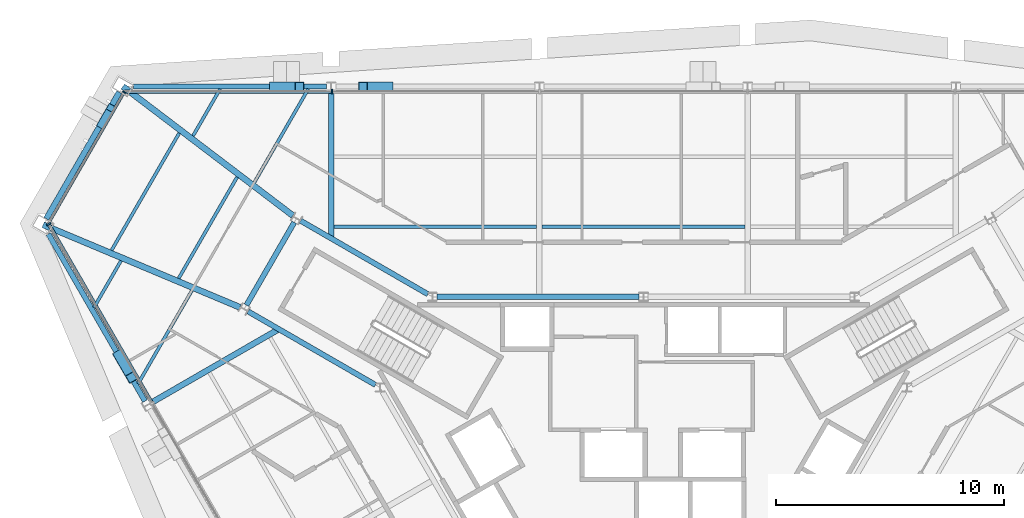
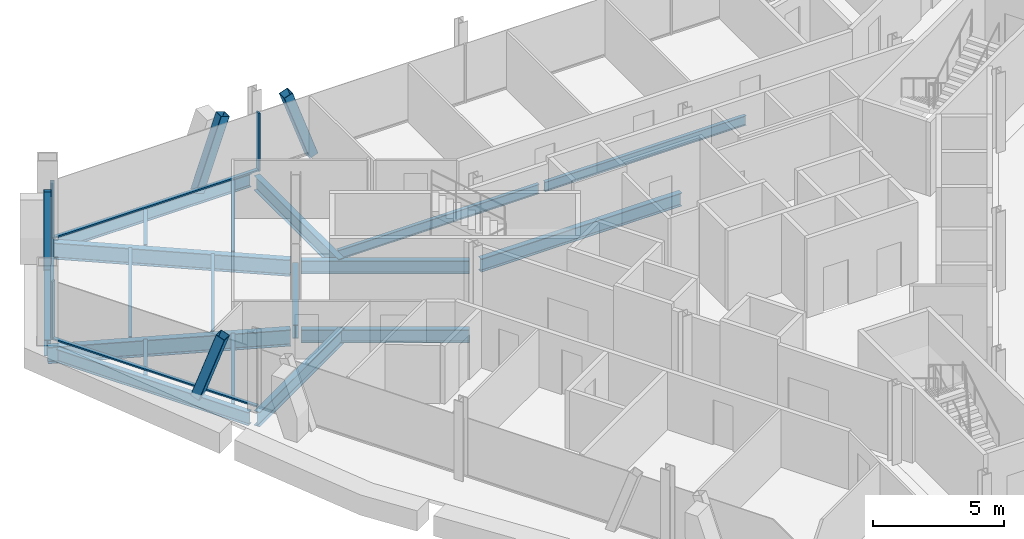
# One storey, part 6 of 15: 19 beams, 10 members, 3 elements without a shape of their own.
"""IFC4 building model written with IfcOpenShell, lengths in metres."""

from ifc_helpers import new_model, si_unit, direction, frame, origin, origin_2d, place, context, subcontext, project, spatial, rectangle, hollow_rectangle, i_section, extrude, material, material_profile, profile_set, type_object, element, aggregate, save


model = new_model("IFC4")

# Units and contexts
model_context = context("Model", 3, precision=1e-05, world=origin(), true_north=direction((0.0, 1.0)))
body_context = subcontext(model_context, "Body", "Model", "MODEL_VIEW")
ifc_project = project(units=[si_unit("LENGTHUNIT", "METRE"), si_unit("AREAUNIT", "SQUARE_METRE"), si_unit("VOLUMEUNIT", "CUBIC_METRE"), si_unit("PLANEANGLEUNIT", "RADIAN"), si_unit("MASSUNIT", "GRAM", prefix="KILO")], contexts=[model_context])

# Site, building, storey
site_placement = place(None, origin())
site = spatial("IfcSite", under=ifc_project, at=site_placement, CompositionType="ELEMENT")
building_placement = place(site_placement, origin())
building = spatial("IfcBuilding", under=site, at=building_placement, Name="Verrane Prism Tower", CompositionType="ELEMENT")
storey_placement = place(building_placement, frame((0.0, 0.0, 250.800048828125)))
storey = spatial("IfcBuildingStorey", under=building, at=storey_placement, Name="L63", CompositionType="ELEMENT", Elevation=250.800048828125)

# Member
ifc_material_1 = material(Name="Steel A500 Grade C", Category="steel")
ifc_material_profile_1 = material_profile(ifc_material_1, hollow_rectangle(XDim=0.3046875, YDim=0.3046875, WallThickness=0.0126953125, InnerFilletRadius=0.00634765625, OuterFilletRadius=0.01904296875, at=origin_2d()), Name="HSS12x12x1/2")
ifc_profile_set_1 = profile_set([ifc_material_profile_1], Name="Steel A500 Grade C")
member_type_1 = type_object("IfcMemberType", Name="Chamfer brace HSS12x12x1/2", PredefinedType="BRACE", material=ifc_profile_set_1)
member_1_placement = place(storey_placement, frame((-23.800048828125, 15.565185546875, -0.24267578125), z_axis=(0.130491739754, 0.226180627359, 0.965305252065), x_axis=(-0.86618075184, 0.499730832691, 0.0)))
element("IfcMember", 1, at=member_1_placement, inside=storey, type_object=member_type_1, Name="Chamfer brace NW0 L63", PredefinedType="BRACE", context=body_context, shape_type="SweptSolid", body=[
    extrude(hollow_rectangle(XDim=0.3046875, YDim=0.3046875, WallThickness=0.0126953125, InnerFilletRadius=0.00634765625, OuterFilletRadius=0.01904296875, at=origin_2d()), origin(), (0.0, 0.0, 1.0), 3.219970703125),
])

# Beams
ifc_material_2 = material(Name="Steel A992", Category="steel")
ifc_material_profile_2 = material_profile(ifc_material_2, i_section(OverallWidth=0.2666015625, OverallDepth=0.7568359375, WebThickness=0.013916015625, FlangeThickness=0.019287109375, FilletRadius=0.0166015625, at=origin_2d()), Name="W30x108")
ifc_profile_set_2 = profile_set([ifc_material_profile_2], Name="Steel A992")
beam_type_1 = type_object("IfcBeamType", Name="Chamfer spandrel beam W30x108", PredefinedType="SPANDREL", material=ifc_profile_set_2)
beam_1_placement = place(storey_placement, frame((-22.989990234375, 16.97021484375, -0.53857421875), z_axis=(-0.499500311129, -0.866313707142, 0.0), x_axis=(0.866313707142, -0.499500311129, 0.0)))
element("IfcBeam", 2, at=beam_1_placement, inside=storey, type_object=beam_type_1, Name="Chamfer spandrel beam L63", PredefinedType="SPANDREL", context=body_context, shape_type="SweptSolid", body=[
    extrude(i_section(OverallWidth=0.2666015625, OverallDepth=0.7568359375, WebThickness=0.013916015625, FlangeThickness=0.019287109375, FilletRadius=0.0166015625, at=origin_2d()), origin(), (0.0, 0.0, 1.0), 6.40673828125),
])
ifc_material_3 = material(Name="Steel A992", Category="steel")
ifc_material_profile_3 = material_profile(ifc_material_3, i_section(OverallWidth=0.23046875, OverallDepth=0.6171875, WebThickness=0.01318359375, FlangeThickness=0.022216796875, FilletRadius=0.012939453125, at=origin_2d()), Name="W24x94")
ifc_profile_set_3 = profile_set([ifc_material_profile_3], Name="Steel A992")
beam_type_2 = type_object("IfcBeamType", Name="Core ring girder W24x94", PredefinedType="BEAM", material=ifc_profile_set_3)
beam_2_placement = place(storey_placement, frame((-0.199462890625, 8.0, -0.55859375), z_axis=(-1.0, 0.0, 0.0), x_axis=(0.0, -1.0, 0.0)))
element("IfcBeam", 3, at=beam_2_placement, inside=storey, type_object=beam_type_2, Name="Core ring girder L63", PredefinedType="BEAM", context=body_context, shape_type="SweptSolid", body=[
    extrude(i_section(OverallWidth=0.23046875, OverallDepth=0.6171875, WebThickness=0.01318359375, FlangeThickness=0.022216796875, FilletRadius=0.012939453125, at=origin_2d()), origin(), (0.0, 0.0, 1.0), 8.861083984375),
])
beam_3_placement = place(storey_placement, frame((-9.45947265625, 8.114990234375, -0.55859375), z_axis=(-0.866080992722, 0.499903704773, 0.0), x_axis=(-0.499903704773, -0.866080992722, 0.0)))
element("IfcBeam", 4, at=beam_3_placement, inside=storey, type_object=beam_type_2, Name="Core ring girder L63", PredefinedType="BEAM", context=body_context, shape_type="SweptSolid", body=[
    extrude(i_section(OverallWidth=0.23046875, OverallDepth=0.6171875, WebThickness=0.01318359375, FlangeThickness=0.022216796875, FilletRadius=0.012939453125, at=origin_2d()), origin(), (0.0, 0.0, 1.0), 6.451904296875),
])
beam_4_placement = place(storey_placement, frame((-15.3203125, 11.266357421875, -0.55859375), z_axis=(-0.500375511519, -0.865808493532, 0.0), x_axis=(0.865808493532, -0.500375511519, 0.0)))
element("IfcBeam", 5, at=beam_4_placement, inside=storey, type_object=beam_type_2, Name="Core ring girder L63", PredefinedType="BEAM", context=body_context, shape_type="SweptSolid", body=[
    extrude(i_section(OverallWidth=0.23046875, OverallDepth=0.6171875, WebThickness=0.01318359375, FlangeThickness=0.022216796875, FilletRadius=0.012939453125, at=origin_2d()), origin(), (0.0, 0.0, 1.0), 4.195556640625),
])
beam_5_placement = place(storey_placement, frame((-17.347412109375, 7.3603515625, -0.55859375), z_axis=(0.866080992722, -0.499903704773, 0.0), x_axis=(0.499903704773, 0.866080992722, 0.0)))
element("IfcBeam", 6, at=beam_5_placement, inside=storey, type_object=beam_type_2, Name="Core ring girder L63", PredefinedType="BEAM", context=body_context, shape_type="SweptSolid", body=[
    extrude(i_section(OverallWidth=0.23046875, OverallDepth=0.6171875, WebThickness=0.01318359375, FlangeThickness=0.022216796875, FilletRadius=0.012939453125, at=origin_2d()), origin(), (0.0, 0.0, 1.0), 6.451904296875),
])
ifc_material_4 = material(Name="Steel A992", Category="steel")
ifc_material_profile_4 = material_profile(ifc_material_4, i_section(OverallWidth=0.2666015625, OverallDepth=0.76708984375, WebThickness=0.014892578125, FlangeThickness=0.023681640625, FilletRadius=0.0166015625, at=origin_2d()), Name="W30x124")
ifc_profile_set_4 = profile_set([ifc_material_profile_4], Name="Steel A992")
beam_type_3 = type_object("IfcBeamType", Name="Corner girder W30x124", PredefinedType="BEAM", material=ifc_profile_set_4)
beam_6_placement = place(storey_placement, frame((-22.838134765625, 17.228515625, -0.603515625), z_axis=(0.796227983739, -0.604996692479, 0.0), x_axis=(0.604996692479, 0.796227983739, 0.0)))
element("IfcBeam", 7, at=beam_6_placement, inside=storey, type_object=beam_type_3, Name="Corner girder L63", PredefinedType="BEAM", context=body_context, shape_type="SweptSolid", body=[
    extrude(i_section(OverallWidth=0.2666015625, OverallDepth=0.76708984375, WebThickness=0.014892578125, FlangeThickness=0.023681640625, FilletRadius=0.0166015625, at=origin_2d()), origin(), (0.0, 0.0, 1.0), 9.366943359375),
])
beam_7_placement = place(storey_placement, frame((-26.3388671875, 11.15966796875, -0.603515625), z_axis=(0.92214457492, -0.386845425132, 0.0), x_axis=(0.386845425132, 0.92214457492, 0.0)))
element("IfcBeam", 8, at=beam_7_placement, inside=storey, type_object=beam_type_3, Name="Corner girder L63", PredefinedType="BEAM", context=body_context, shape_type="SweptSolid", body=[
    extrude(i_section(OverallWidth=0.2666015625, OverallDepth=0.76708984375, WebThickness=0.014892578125, FlangeThickness=0.023681640625, FilletRadius=0.0166015625, at=origin_2d()), origin(), (0.0, 0.0, 1.0), 9.362548828125),
])

# Members
ifc_material_5 = material(Name="Steel A500 Grade C", Category="steel")
ifc_material_profile_5 = material_profile(ifc_material_5, hollow_rectangle(XDim=0.406494140625, YDim=0.406494140625, WallThickness=0.01904296875, InnerFilletRadius=0.009521484375, OuterFilletRadius=0.028564453125, at=origin_2d()), Name="HSS16x16x3/4")
ifc_profile_set_5 = profile_set([ifc_material_profile_5], Name="Steel A500 Grade C")
member_type_2 = type_object("IfcMemberType", Name="Facade brace HSS16x16x3/4", PredefinedType="BRACE", material=ifc_profile_set_5)
member_2_placement = place(storey_placement, frame((-11.18017578125, 17.22998046875, -0.216796875), z_axis=(-0.332454583869, 0.0, 0.943119265875), x_axis=(0.0, -1.0, 0.0)))
element("IfcMember", 9, at=member_2_placement, inside=storey, type_object=member_type_2, Name="Facade brace N3 L63", PredefinedType="BRACE", context=body_context, shape_type="SweptSolid", body=[
    extrude(hollow_rectangle(XDim=0.406494140625, YDim=0.406494140625, WallThickness=0.01904296875, InnerFilletRadius=0.009521484375, OuterFilletRadius=0.028564453125, at=origin_2d()), origin(), (0.0, 0.0, 1.0), 3.38916015625),
])
for number, where, z_axis, x_axis, name in (
    (10, (-16.222412109375, 17.22998046875, -0.216796875), (0.332774905178, 0.0, 0.943006289737), (0.0, 1.0, 0.0), "Facade brace N4 L63"),
    (11, (-23.03125, 5.43310546875, -0.216796875), (0.16639448811, -0.288056951494, 0.943046163781), (0.865915093549, 0.500191014278, 0.0), "Facade brace SW0 L63"),
):
    element("IfcMember", number, at=place(storey_placement, frame(where, z_axis=z_axis, x_axis=x_axis)), inside=storey, type_object=member_type_2, Name=name, PredefinedType="BRACE", context=body_context, shape_type="SweptSolid", body=[
        extrude(hollow_rectangle(XDim=0.406494140625, YDim=0.406494140625, WallThickness=0.01904296875, InnerFilletRadius=0.009521484375, OuterFilletRadius=0.028564453125, at=origin_2d()), origin(), (0.0, 0.0, 1.0), 3.389404296875),
    ])

# Beams
ifc_material_6 = material(Name="Steel A992", Category="steel")
ifc_material_profile_6 = material_profile(ifc_material_6, i_section(OverallWidth=0.140380859375, OverallDepth=0.40380859375, WebThickness=0.007080078125, FlangeThickness=0.01123046875, FilletRadius=0.01025390625, at=origin_2d()), Name="W16x31")
ifc_profile_set_6 = profile_set([ifc_material_profile_6], Name="Steel A992")
beam_type_4 = type_object("IfcBeamType", Name="Floor beam W16x31", PredefinedType="BEAM", material=ifc_profile_set_6)
beam_8_placement = place(storey_placement, frame((-17.073974609375, 13.016357421875, -0.362060546875), z_axis=(0.499978475836, 0.86603783041, 0.0), x_axis=(-0.86603783041, 0.499978475836, 0.0)))
element("IfcBeam", 12, at=beam_8_placement, inside=storey, type_object=beam_type_4, Name="Floor beam L63", PredefinedType="BEAM", context=body_context, shape_type="SweptSolid", body=[
    extrude(i_section(OverallWidth=0.140380859375, OverallDepth=0.40380859375, WebThickness=0.007080078125, FlangeThickness=0.01123046875, FilletRadius=0.01025390625, at=origin_2d()), origin(), (0.0, 0.0, 1.0), 4.732666015625),
])
beam_9_placement = place(storey_placement, frame((-19.7626953125, 15.0595703125, -0.362060546875), z_axis=(0.499945073215, 0.866057113456, 0.0), x_axis=(-0.866057113456, 0.499945073215, 0.0)))
element("IfcBeam", 13, at=beam_9_placement, inside=storey, type_object=beam_type_4, Name="Floor beam L63", PredefinedType="BEAM", context=body_context, shape_type="SweptSolid", body=[
    extrude(i_section(OverallWidth=0.140380859375, OverallDepth=0.40380859375, WebThickness=0.007080078125, FlangeThickness=0.01123046875, FilletRadius=0.01025390625, at=origin_2d()), origin(), (0.0, 0.0, 1.0), 2.373291015625),
])
beam_10_placement = place(storey_placement, frame((-22.175048828125, 4.180908203125, -0.362060546875), z_axis=(0.49998166818, 0.866035987407, 0.0), x_axis=(-0.866035987407, 0.49998166818, 0.0)))
element("IfcBeam", 14, at=beam_10_placement, inside=storey, type_object=beam_type_4, Name="Floor beam L63", PredefinedType="BEAM", context=body_context, shape_type="SweptSolid", body=[
    extrude(i_section(OverallWidth=0.140380859375, OverallDepth=0.40380859375, WebThickness=0.007080078125, FlangeThickness=0.01123046875, FilletRadius=0.01025390625, at=origin_2d()), origin(), (0.0, 0.0, 1.0), 4.728759765625),
])
beam_11_placement = place(storey_placement, frame((-24.10888671875, 7.528076171875, -0.362060546875), z_axis=(0.500025443912, 0.866010713236, 0.0), x_axis=(-0.866010713236, 0.500025443912, 0.0)))
element("IfcBeam", 15, at=beam_11_placement, inside=storey, type_object=beam_type_4, Name="Floor beam L63", PredefinedType="BEAM", context=body_context, shape_type="SweptSolid", body=[
    extrude(i_section(OverallWidth=0.140380859375, OverallDepth=0.40380859375, WebThickness=0.007080078125, FlangeThickness=0.01123046875, FilletRadius=0.01025390625, at=origin_2d()), origin(), (0.0, 0.0, 1.0), 2.37158203125),
])
beam_12_placement = place(storey_placement, frame((-20.392822265625, 8.809814453125, -0.362060546875), z_axis=(0.499987429501, 0.866032661244, 0.0), x_axis=(-0.866032661244, 0.499987429501, 0.0)))
element("IfcBeam", 16, at=beam_12_placement, inside=storey, type_object=beam_type_4, Name="Floor beam L63", PredefinedType="BEAM", context=body_context, shape_type="SweptSolid", body=[
    extrude(i_section(OverallWidth=0.140380859375, OverallDepth=0.40380859375, WebThickness=0.007080078125, FlangeThickness=0.01123046875, FilletRadius=0.01025390625, at=origin_2d()), origin(), (0.0, 0.0, 1.0), 5.131103515625),
])
beam_13_placement = place(storey_placement, frame((-23.334716796875, 10.0439453125, -0.362060546875), z_axis=(0.500019194352, 0.866014321637, 0.0), x_axis=(-0.866014321637, 0.500019194352, 0.0)))
element("IfcBeam", 17, at=beam_13_placement, inside=storey, type_object=beam_type_4, Name="Floor beam L63", PredefinedType="BEAM", context=body_context, shape_type="SweptSolid", body=[
    extrude(i_section(OverallWidth=0.140380859375, OverallDepth=0.40380859375, WebThickness=0.007080078125, FlangeThickness=0.01123046875, FilletRadius=0.01025390625, at=origin_2d()), origin(), (0.0, 0.0, 1.0), 5.934814453125),
])
ifc_material_7 = material(Name="Steel A992", Category="steel")
ifc_material_profile_7 = material_profile(ifc_material_7, i_section(OverallWidth=0.15234375, OverallDepth=0.449462890625, WebThickness=0.007568359375, FlangeThickness=0.0107421875, FilletRadius=0.01025390625, at=origin_2d()), Name="W18x35")
ifc_profile_set_7 = profile_set([ifc_material_profile_7], Name="Steel A992")
beam_type_5 = type_object("IfcBeamType", Name="Floor beam W18x35", PredefinedType="BEAM", material=ifc_profile_set_7)
beam_14_placement = place(storey_placement, frame((-4.443115234375, 11.07666015625, -0.384765625), z_axis=(1.0, 0.0, 0.0), x_axis=(0.0, 1.0, 0.0)))
element("IfcBeam", 18, at=beam_14_placement, inside=storey, type_object=beam_type_5, Name="Floor beam L63", PredefinedType="BEAM", context=body_context, shape_type="SweptSolid", body=[
    extrude(i_section(OverallWidth=0.15234375, OverallDepth=0.449462890625, WebThickness=0.007568359375, FlangeThickness=0.0107421875, FilletRadius=0.01025390625, at=origin_2d()), origin(), (0.0, 0.0, 1.0), 8.88623046875),
])
beam_15_placement = place(storey_placement, frame((-13.572998046875, 11.07666015625, -0.384765625), z_axis=(1.0, 0.0, 0.0), x_axis=(0.0, 1.0, 0.0)))
element("IfcBeam", 19, at=beam_15_placement, inside=storey, type_object=beam_type_5, Name="Floor beam L63", PredefinedType="BEAM", context=body_context, shape_type="SweptSolid", body=[
    extrude(i_section(OverallWidth=0.15234375, OverallDepth=0.449462890625, WebThickness=0.007568359375, FlangeThickness=0.0107421875, FilletRadius=0.01025390625, at=origin_2d()), origin(), (0.0, 0.0, 1.0), 8.8759765625),
])

# Curtain wall, member
ifc_material_8 = material(Name="Aluminium framed insulated glazing", Category="aluminium")
curtain_wall_type_1 = type_object("IfcCurtainWallType", Name="Curtain wall CW-B 5600 module", PredefinedType="NOTDEFINED", material=ifc_material_8)
curtain_wall_1_placement = place(storey_placement, origin())
curtain_wall_1 = element("IfcCurtainWall", 20, at=curtain_wall_1_placement, inside=storey, type_object=curtain_wall_type_1, Name="Glazed curtain wall north-west corner L63", PredefinedType="NOTDEFINED")
ifc_material_9 = material(Name="Aluminium alloy 6063-T6", Category="aluminium")
ifc_material_profile_8 = material_profile(ifc_material_9, rectangle(XDim=0.159912109375, YDim=0.06005859375, at=origin_2d()), Name="Mullion 60x160 aluminium")
ifc_profile_set_8 = profile_set([ifc_material_profile_8], Name="Aluminium alloy 6063-T6")
member_type_3 = type_object("IfcMemberType", Name="Mullion 60x160 aluminium", PredefinedType="MULLION", material=ifc_profile_set_8)
member_3_placement = place(storey_placement, frame((-22.779052734375, 16.975830078125, 0.0), z_axis=(0.0, 0.0, 1.0), x_axis=(0.866027625781, -0.49999615137, 0.0)))
member_3 = element("IfcMember", 21, at=member_3_placement, type_object=member_type_3, Name="CW62.3 mullion 1", PredefinedType="MULLION", context=body_context, shape_type="SweptSolid", body=[
    extrude(rectangle(XDim=0.159912109375, YDim=0.06005859375, at=origin_2d()), origin(), (0.0, 0.0, 1.0), 2.712890625),
])

ifc_material_10 = material(Name="Aluminium framed insulated glazing", Category="aluminium")
curtain_wall_type_2 = type_object("IfcCurtainWallType", Name="Curtain wall CW-A 8400 module", PredefinedType="NOTDEFINED", material=ifc_material_10)
curtain_wall_2_placement = place(storey_placement, origin())
curtain_wall_2 = element("IfcCurtainWall", 22, at=curtain_wall_2_placement, inside=storey, type_object=curtain_wall_type_2, Name="Glazed curtain wall north face L63", PredefinedType="NOTDEFINED")
ifc_material_11 = material(Name="Aluminium alloy 6063-T6", Category="aluminium")
ifc_material_profile_9 = material_profile(ifc_material_11, rectangle(XDim=0.199951171875, YDim=0.070068359375, at=origin_2d()), Name="Mullion 70x200 aluminium")
ifc_profile_set_9 = profile_set([ifc_material_profile_9], Name="Aluminium alloy 6063-T6")
member_type_4 = type_object("IfcMemberType", Name="Mullion 70x200 aluminium", PredefinedType="MULLION", material=ifc_profile_set_9)
member_4_placement = place(storey_placement, frame((-13.658447265625, 17.001708984375, 0.0), z_axis=(0.0, 0.0, 1.0), x_axis=(0.0, -1.0, 0.0)))
member_4 = element("IfcMember", 23, at=member_4_placement, type_object=member_type_4, Name="CW62.2 mullion 5", PredefinedType="MULLION", context=body_context, shape_type="SweptSolid", body=[
    extrude(rectangle(XDim=0.199951171875, YDim=0.070068359375, at=origin_2d()), origin(), (0.0, 0.0, 1.0), 2.712890625),
])

curtain_wall_3_placement = place(storey_placement, origin())
curtain_wall_3 = element("IfcCurtainWall", 24, at=curtain_wall_3_placement, inside=storey, type_object=curtain_wall_type_2, Name="Glazed curtain wall south-west face L63", PredefinedType="NOTDEFINED")
member_5_placement = place(storey_placement, frame((-26.08837890625, 11.18310546875, 0.0), z_axis=(0.0, 0.0, 1.0), x_axis=(0.866025525748, 0.499999788753, 0.0)))
member_5 = element("IfcMember", 25, at=member_5_placement, type_object=member_type_4, Name="CW62.4 mullion 1", PredefinedType="MULLION", context=body_context, shape_type="SweptSolid", body=[
    extrude(rectangle(XDim=0.199951171875, YDim=0.070068359375, at=origin_2d()), origin(), (0.0, 0.0, 1.0), 2.712890625),
])

# Beams
ifc_material_12 = material(Name="Steel A992", Category="steel")
ifc_material_profile_10 = material_profile(ifc_material_12, i_section(OverallWidth=0.25390625, OverallDepth=0.683349609375, WebThickness=0.012451171875, FlangeThickness=0.01904296875, FilletRadius=0.01513671875, at=origin_2d()), Name="W27x94")
ifc_profile_set_10 = profile_set([ifc_material_profile_10], Name="Steel A992")
beam_type_6 = type_object("IfcBeamType", Name="Radial girder W27x94", PredefinedType="BEAM", material=ifc_profile_set_10)
beam_16_placement = place(storey_placement, frame((-13.699951171875, 17.037109375, -0.561767578125), z_axis=(0.0, -1.0, 0.0), x_axis=(1.0, 0.0, 0.0)))
element("IfcBeam", 26, at=beam_16_placement, inside=storey, type_object=beam_type_6, Name="Radial girder L63", PredefinedType="BEAM", context=body_context, shape_type="SweptSolid", body=[
    extrude(i_section(OverallWidth=0.25390625, OverallDepth=0.683349609375, WebThickness=0.012451171875, FlangeThickness=0.01904296875, FilletRadius=0.01513671875, at=origin_2d()), origin(), (0.0, 0.0, 1.0), 6.474365234375),
])
beam_17_placement = place(storey_placement, frame((-21.602783203125, 3.346435546875, -0.561767578125), z_axis=(0.866017203851, 0.500014202433, 0.0), x_axis=(-0.500014202433, 0.866017203851, 0.0)))
element("IfcBeam", 27, at=beam_17_placement, inside=storey, type_object=beam_type_6, Name="Radial girder L63", PredefinedType="BEAM", context=body_context, shape_type="SweptSolid", body=[
    extrude(i_section(OverallWidth=0.25390625, OverallDepth=0.683349609375, WebThickness=0.012451171875, FlangeThickness=0.01904296875, FilletRadius=0.01513671875, at=origin_2d()), origin(), (0.0, 0.0, 1.0), 6.470947265625),
])
ifc_material_13 = material(Name="Steel A992", Category="steel")
ifc_material_profile_11 = material_profile(ifc_material_13, i_section(OverallWidth=0.23046875, OverallDepth=0.6171875, WebThickness=0.01318359375, FlangeThickness=0.022216796875, FilletRadius=0.012939453125, at=origin_2d()), Name="W24x94")
ifc_profile_set_11 = profile_set([ifc_material_profile_11], Name="Steel A992")
beam_type_7 = type_object("IfcBeamType", Name="Spandrel beam W24x94", PredefinedType="SPANDREL", material=ifc_profile_set_11)
beam_18_placement = place(storey_placement, frame((-13.8994140625, 17.22998046875, -0.46875), z_axis=(-1.0, 0.0, 0.0), x_axis=(0.0, -1.0, 0.0)))
element("IfcBeam", 28, at=beam_18_placement, inside=storey, type_object=beam_type_7, Name="Spandrel beam L63", PredefinedType="SPANDREL", context=body_context, shape_type="SweptSolid", body=[
    extrude(i_section(OverallWidth=0.23046875, OverallDepth=0.6171875, WebThickness=0.01318359375, FlangeThickness=0.022216796875, FilletRadius=0.012939453125, at=origin_2d()), origin(), (0.0, 0.0, 1.0), 8.478759765625),
])
beam_19_placement = place(storey_placement, frame((-26.10888671875, 10.760009765625, -0.46875), z_axis=(0.500266077884, -0.865871729137, 0.0), x_axis=(0.865871729137, 0.500266077884, 0.0)))
element("IfcBeam", 29, at=beam_19_placement, inside=storey, type_object=beam_type_7, Name="Spandrel beam L63", PredefinedType="SPANDREL", context=body_context, shape_type="SweptSolid", body=[
    extrude(i_section(OverallWidth=0.23046875, OverallDepth=0.6171875, WebThickness=0.01318359375, FlangeThickness=0.022216796875, FilletRadius=0.012939453125, at=origin_2d()), origin(), (0.0, 0.0, 1.0), 8.47412109375),
])

# Member
ifc_material_14 = material(Name="Aluminium alloy 6063-T6", Category="aluminium")
ifc_material_profile_12 = material_profile(ifc_material_14, rectangle(XDim=0.1201171875, YDim=0.06005859375, at=origin_2d()), Name="Transom 60x120 aluminium")
ifc_profile_set_12 = profile_set([ifc_material_profile_12], Name="Aluminium alloy 6063-T6")
member_type_5 = type_object("IfcMemberType", Name="Transom 60x120 aluminium", PredefinedType="USERDEFINED", material=ifc_profile_set_12)
member_6_placement = place(storey_placement, frame((-22.794189453125, 16.949951171875, 0.030029296875), z_axis=(-0.499972376636, -0.866041351554, 0.0), x_axis=(0.866041351554, -0.499972376636, 0.0)))
member_6 = element("IfcMember", 30, at=member_6_placement, type_object=member_type_5, Name="CW62.3 transom 1", ObjectType="TRANSOM", PredefinedType="USERDEFINED", context=body_context, shape_type="SweptSolid", body=[
    extrude(rectangle(XDim=0.1201171875, YDim=0.06005859375, at=origin_2d()), origin(), (0.0, 0.0, 1.0), 6.623779296875),
])

aggregate(curtain_wall_1, [member_3, member_6])

ifc_material_15 = material(Name="Aluminium alloy 6063-T6", Category="aluminium")
ifc_material_profile_13 = material_profile(ifc_material_15, rectangle(XDim=0.14990234375, YDim=0.070068359375, at=origin_2d()), Name="Transom 70x150 aluminium")
ifc_profile_set_13 = profile_set([ifc_material_profile_13], Name="Aluminium alloy 6063-T6")
member_type_6 = type_object("IfcMemberType", Name="Transom 70x150 aluminium", PredefinedType="USERDEFINED", material=ifc_profile_set_13)
member_7_placement = place(storey_placement, frame((-13.693359375, 17.001708984375, 0.034912109375), z_axis=(-1.0, 0.0, 0.0), x_axis=(0.0, -1.0, 0.0)))
member_7 = element("IfcMember", 31, at=member_7_placement, type_object=member_type_6, Name="CW62.2 transom 5", ObjectType="TRANSOM", PredefinedType="USERDEFINED", context=body_context, shape_type="SweptSolid", body=[
    extrude(rectangle(XDim=0.14990234375, YDim=0.070068359375, at=origin_2d()), origin(), (0.0, 0.0, 1.0), 9.07080078125),
])

aggregate(curtain_wall_2, [member_4, member_7])

member_8_placement = place(storey_placement, frame((-26.071044921875, 11.15283203125, 0.034912109375), z_axis=(0.49998699247, -0.866032913555, 0.0), x_axis=(0.866032913555, 0.49998699247, 0.0)))
member_8 = element("IfcMember", 32, at=member_8_placement, type_object=member_type_6, Name="CW62.4 transom 1", ObjectType="TRANSOM", PredefinedType="USERDEFINED", context=body_context, shape_type="SweptSolid", body=[
    extrude(rectangle(XDim=0.14990234375, YDim=0.070068359375, at=origin_2d()), origin(), (0.0, 0.0, 1.0), 9.000732421875),
])

aggregate(curtain_wall_3, [member_5, member_8])

save(model, "model.ifc")
